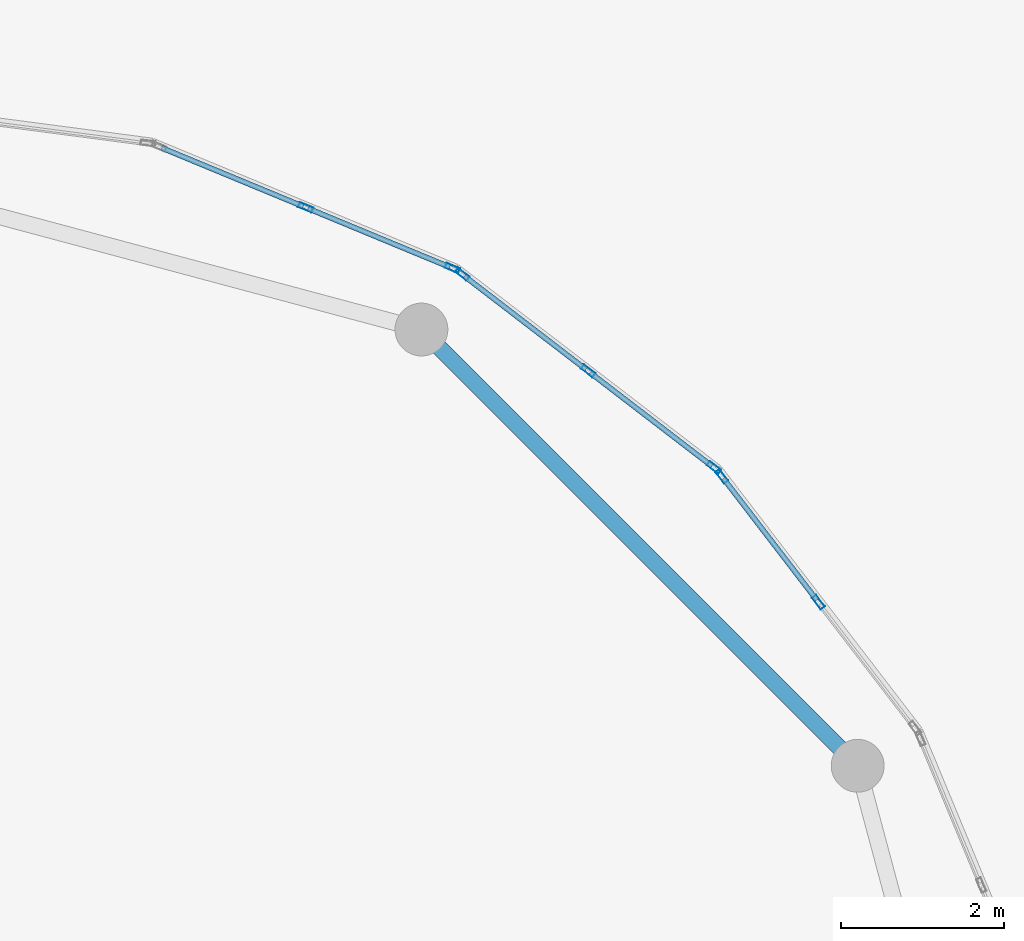
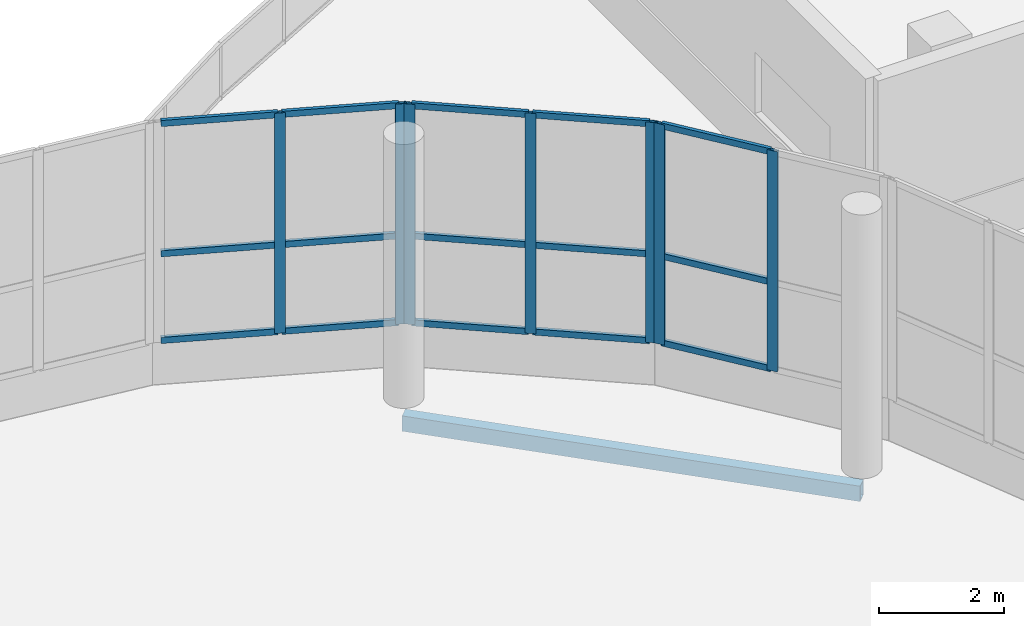
# One storey, part 12 of 101: 22 members, 1 beam, 3 elements without a shape of their own.
"""IFC4 building model written with IfcOpenShell, lengths in metres."""

from ifc_helpers import new_model, si_unit, direction, frame, origin, origin_2d, place, context, subcontext, project, spatial, hollow_rectangle, extrude, material, material_profile, profile_set, type_object, element, aggregate, save


model = new_model("IFC4")

# Units and contexts
model_context = context("Model", 3, precision=1e-05, world=origin(), true_north=direction((0.0, 1.0)))
body_context = subcontext(model_context, "Body", "Model", "MODEL_VIEW")
ifc_project = project(units=[si_unit("LENGTHUNIT", "METRE"), si_unit("AREAUNIT", "SQUARE_METRE"), si_unit("VOLUMEUNIT", "CUBIC_METRE"), si_unit("PLANEANGLEUNIT", "RADIAN"), si_unit("MASSUNIT", "GRAM", prefix="KILO")], contexts=[model_context])

# Site, building, storey
site_placement = place(None, origin())
site = spatial("IfcSite", under=ifc_project, at=site_placement, CompositionType="ELEMENT")
building_placement = place(site_placement, origin())
building = spatial("IfcBuilding", under=site, at=building_placement, Name="Selatvlak General Hospital", CompositionType="ELEMENT")
storey_placement = place(building_placement, frame((0.0, 0.0, 19.199951171875)))
storey = spatial("IfcBuildingStorey", under=building, at=storey_placement, Name="L04", CompositionType="ELEMENT", Elevation=19.199951171875)

# Beam
ifc_material_1 = material(Name="Steel S355", Category="steel")
ifc_material_profile_1 = material_profile(ifc_material_1, hollow_rectangle(XDim=0.199951171875, YDim=0.300048828125, WallThickness=0.011962890625, at=origin_2d()), Name="RHS 300x200x12")
ifc_profile_set_1 = profile_set([ifc_material_profile_1], Name="Steel S355")
beam_type = type_object("IfcBeamType", Name="BM-SP3", PredefinedType="SPANDREL", material=ifc_profile_set_1)
beam_placement = place(storey_placement, frame((110.68701171875, 61.324951171875, -0.454833984375), z_axis=(-0.707106781187, 0.707106781187, 0.0), x_axis=(-0.707106781187, -0.707106781187, 0.0)))
element("IfcBeam", 1, at=beam_placement, inside=storey, type_object=beam_type, Name="Beam BMR-L04-1799", PredefinedType="SPANDREL", context=body_context, shape_type="SweptSolid", body=[
    extrude(hollow_rectangle(XDim=0.199951171875, YDim=0.300048828125, WallThickness=0.011962890625, at=origin_2d()), origin(), (0.0, 0.0, 1.0), 7.5830078125),
])

# Curtain wall, members
ifc_material_2 = material(Name="Solar-control Low-E double glazing", Category="glass")
curtain_wall_type_1 = type_object("IfcCurtainWallType", Name="CW-CW-05", PredefinedType="USERDEFINED", material=ifc_material_2)
curtain_wall_1_placement = place(storey_placement, origin())
curtain_wall_1 = element("IfcCurtainWall", 2, at=curtain_wall_1_placement, inside=storey, type_object=curtain_wall_type_1, Name="Glazed facade curtain wall CW-L04-0538", ObjectType="STICK GLAZING WALL", PredefinedType="USERDEFINED")
ifc_material_3 = material(Name="Dark anodised aluminium mullion", Category="aluminium")
ifc_material_profile_2 = material_profile(ifc_material_3, hollow_rectangle(XDim=0.06494140625, YDim=0.179931640625, WallThickness=0.00439453125, at=origin_2d()), Name="AL-MUL 65x180x4.5")
ifc_profile_set_2 = profile_set([ifc_material_profile_2], Name="Dark anodised aluminium mullion")
member_type_1 = type_object("IfcMemberType", Name="CWM-02", PredefinedType="MULLION", material=ifc_profile_set_2)
member_1_placement = place(storey_placement, frame((103.903076171875, 68.1884765625, 0.85009765625), z_axis=(0.0, 0.0, 1.0), x_axis=(0.382537390187, 0.92394001164, 0.0)))
member_1 = element("IfcMember", 3, at=member_1_placement, type_object=member_type_1, Name="CW-05 mullion 2", PredefinedType="MULLION", context=body_context, shape_type="SweptSolid", body=[
    extrude(hollow_rectangle(XDim=0.06494140625, YDim=0.179931640625, WallThickness=0.00439453125, at=origin_2d()), origin(), (0.0, 0.0, 1.0), 4.300048828125),
])
member_2_placement = place(storey_placement, frame((105.705078125, 67.4423828125, 0.85009765625), z_axis=(0.0, 0.0, 1.0), x_axis=(0.382537390187, 0.92394001164, 0.0)))
member_2 = element("IfcMember", 4, at=member_2_placement, type_object=member_type_1, Name="CW-05 mullion 3", PredefinedType="MULLION", context=body_context, shape_type="SweptSolid", body=[
    extrude(hollow_rectangle(XDim=0.06494140625, YDim=0.179931640625, WallThickness=0.00439453125, at=origin_2d()), origin(), (0.0, 0.0, 1.0), 4.300048828125),
])

curtain_wall_type_2 = type_object("IfcCurtainWallType", Name="CW-CW-04", PredefinedType="USERDEFINED", material=ifc_material_2)
curtain_wall_2_placement = place(storey_placement, origin())
curtain_wall_2 = element("IfcCurtainWall", 5, at=curtain_wall_2_placement, inside=storey, type_object=curtain_wall_type_2, Name="Glazed facade curtain wall CW-L04-0539", ObjectType="STICK GLAZING WALL", PredefinedType="USERDEFINED")
member_3_placement = place(storey_placement, frame((105.82666015625, 67.365234375, 0.85009765625), z_axis=(0.0, 0.0, 1.0), x_axis=(0.608918417743, 0.793232853917, 0.0)))
member_3 = element("IfcMember", 6, at=member_3_placement, type_object=member_type_1, Name="CW-04 mullion 1", PredefinedType="MULLION", context=body_context, shape_type="SweptSolid", body=[
    extrude(hollow_rectangle(XDim=0.06494140625, YDim=0.179931640625, WallThickness=0.00439453125, at=origin_2d()), origin(), (0.0, 0.0, 1.0), 4.300048828125),
])
member_4_placement = place(storey_placement, frame((107.3740234375, 66.177490234375, 0.85009765625), z_axis=(0.0, 0.0, 1.0), x_axis=(0.608918417743, 0.793232853917, 0.0)))
member_4 = element("IfcMember", 7, at=member_4_placement, type_object=member_type_1, Name="CW-04 mullion 2", PredefinedType="MULLION", context=body_context, shape_type="SweptSolid", body=[
    extrude(hollow_rectangle(XDim=0.06494140625, YDim=0.179931640625, WallThickness=0.00439453125, at=origin_2d()), origin(), (0.0, 0.0, 1.0), 4.300048828125),
])
member_5_placement = place(storey_placement, frame((108.921142578125, 64.98974609375, 0.85009765625), z_axis=(0.0, 0.0, 1.0), x_axis=(0.608918417743, 0.793232853917, 0.0)))
member_5 = element("IfcMember", 8, at=member_5_placement, type_object=member_type_1, Name="CW-04 mullion 3", PredefinedType="MULLION", context=body_context, shape_type="SweptSolid", body=[
    extrude(hollow_rectangle(XDim=0.06494140625, YDim=0.179931640625, WallThickness=0.00439453125, at=origin_2d()), origin(), (0.0, 0.0, 1.0), 4.300048828125),
])

curtain_wall_3_placement = place(storey_placement, origin())
curtain_wall_3 = element("IfcCurtainWall", 9, at=curtain_wall_3_placement, inside=storey, type_object=curtain_wall_type_1, Name="Glazed facade curtain wall CW-L04-0540", ObjectType="STICK GLAZING WALL", PredefinedType="USERDEFINED")
member_6_placement = place(storey_placement, frame((109.017822265625, 64.88330078125, 0.85009765625), z_axis=(0.0, 0.0, 1.0), x_axis=(0.793232853917, 0.608918417743, 0.0)))
member_6 = element("IfcMember", 10, at=member_6_placement, type_object=member_type_1, Name="CW-05 mullion 1", PredefinedType="MULLION", context=body_context, shape_type="SweptSolid", body=[
    extrude(hollow_rectangle(XDim=0.06494140625, YDim=0.179931640625, WallThickness=0.00439453125, at=origin_2d()), origin(), (0.0, 0.0, 1.0), 4.300048828125),
])
member_7_placement = place(storey_placement, frame((110.20556640625, 63.3359375, 0.85009765625), z_axis=(0.0, 0.0, 1.0), x_axis=(0.793232853917, 0.608918417743, 0.0)))
member_7 = element("IfcMember", 11, at=member_7_placement, type_object=member_type_1, Name="CW-05 mullion 2", PredefinedType="MULLION", context=body_context, shape_type="SweptSolid", body=[
    extrude(hollow_rectangle(XDim=0.06494140625, YDim=0.179931640625, WallThickness=0.00439453125, at=origin_2d()), origin(), (0.0, 0.0, 1.0), 4.300048828125),
])

# Member
ifc_material_profile_3 = material_profile(ifc_material_3, hollow_rectangle(XDim=0.06494140625, YDim=0.1201171875, WallThickness=0.00390625, at=origin_2d()), Name="AL-TRN 65x120x4")
ifc_profile_set_3 = profile_set([ifc_material_profile_3], Name="Dark anodised aluminium mullion")
member_type_2 = type_object("IfcMemberType", Name="CWT-01", PredefinedType="USERDEFINED", material=ifc_profile_set_3)
member_8_placement = place(storey_placement, frame((102.131103515625, 68.922119140625, 0.882568359375), z_axis=(0.923944246195, -0.382527162335, 0.0), x_axis=(0.382527162335, 0.923944246195, 0.0)))
member_8 = element("IfcMember", 12, at=member_8_placement, type_object=member_type_2, Name="CW-05 transom 1.1", ObjectType="TRANSOM", PredefinedType="USERDEFINED", context=body_context, shape_type="SweptSolid", body=[
    extrude(hollow_rectangle(XDim=0.06494140625, YDim=0.1201171875, WallThickness=0.00390625, at=origin_2d()), origin(), (0.0, 0.0, 1.0), 1.88525390625),
])

member_9_placement = place(storey_placement, frame((102.131103515625, 68.922119140625, 2.574951171875), z_axis=(0.923944246195, -0.382527162335, 0.0), x_axis=(0.382527162335, 0.923944246195, 0.0)))
member_9 = element("IfcMember", 13, at=member_9_placement, type_object=member_type_2, Name="CW-05 transom 1.2", ObjectType="TRANSOM", PredefinedType="USERDEFINED", context=body_context, shape_type="SweptSolid", body=[
    extrude(hollow_rectangle(XDim=0.06494140625, YDim=0.1201171875, WallThickness=0.00390625, at=origin_2d()), origin(), (0.0, 0.0, 1.0), 1.88525390625),
])

member_10_placement = place(storey_placement, frame((102.131103515625, 68.922119140625, 5.117431640625), z_axis=(0.923944246195, -0.382527162335, 0.0), x_axis=(0.382527162335, 0.923944246195, 0.0)))
member_10 = element("IfcMember", 14, at=member_10_placement, type_object=member_type_2, Name="CW-05 transom 1.3", ObjectType="TRANSOM", PredefinedType="USERDEFINED", context=body_context, shape_type="SweptSolid", body=[
    extrude(hollow_rectangle(XDim=0.06494140625, YDim=0.1201171875, WallThickness=0.00390625, at=origin_2d()), origin(), (0.0, 0.0, 1.0), 1.88525390625),
])

member_11_placement = place(storey_placement, frame((103.93310546875, 68.176025390625, 0.882568359375), z_axis=(0.923944246195, -0.382527162335, 0.0), x_axis=(0.382527162335, 0.923944246195, 0.0)))
member_11 = element("IfcMember", 15, at=member_11_placement, type_object=member_type_2, Name="CW-05 transom 2.1", ObjectType="TRANSOM", PredefinedType="USERDEFINED", context=body_context, shape_type="SweptSolid", body=[
    extrude(hollow_rectangle(XDim=0.06494140625, YDim=0.1201171875, WallThickness=0.00390625, at=origin_2d()), origin(), (0.0, 0.0, 1.0), 1.88525390625),
])

member_12_placement = place(storey_placement, frame((103.93310546875, 68.176025390625, 2.574951171875), z_axis=(0.923944246195, -0.382527162335, 0.0), x_axis=(0.382527162335, 0.923944246195, 0.0)))
member_12 = element("IfcMember", 16, at=member_12_placement, type_object=member_type_2, Name="CW-05 transom 2.2", ObjectType="TRANSOM", PredefinedType="USERDEFINED", context=body_context, shape_type="SweptSolid", body=[
    extrude(hollow_rectangle(XDim=0.06494140625, YDim=0.1201171875, WallThickness=0.00390625, at=origin_2d()), origin(), (0.0, 0.0, 1.0), 1.88525390625),
])

member_13_placement = place(storey_placement, frame((103.93310546875, 68.176025390625, 5.117431640625), z_axis=(0.923944246195, -0.382527162335, 0.0), x_axis=(0.382527162335, 0.923944246195, 0.0)))
member_13 = element("IfcMember", 17, at=member_13_placement, type_object=member_type_2, Name="CW-05 transom 2.3", ObjectType="TRANSOM", PredefinedType="USERDEFINED", context=body_context, shape_type="SweptSolid", body=[
    extrude(hollow_rectangle(XDim=0.06494140625, YDim=0.1201171875, WallThickness=0.00390625, at=origin_2d()), origin(), (0.0, 0.0, 1.0), 1.88525390625),
])

aggregate(curtain_wall_1, [member_1, member_2, member_8, member_9, member_10, member_11, member_12, member_13])

member_14_placement = place(storey_placement, frame((105.8525390625, 67.345458984375, 0.882568359375), z_axis=(0.793206055297, -0.608953326487, 0.0), x_axis=(0.608953326487, 0.793206055297, 0.0)))
member_14 = element("IfcMember", 18, at=member_14_placement, type_object=member_type_2, Name="CW-04 transom 1.1", ObjectType="TRANSOM", PredefinedType="USERDEFINED", context=body_context, shape_type="SweptSolid", body=[
    extrude(hollow_rectangle(XDim=0.06494140625, YDim=0.1201171875, WallThickness=0.00390625, at=origin_2d()), origin(), (0.0, 0.0, 1.0), 1.885498046875),
])

member_15_placement = place(storey_placement, frame((105.8525390625, 67.345458984375, 2.574951171875), z_axis=(0.793206055297, -0.608953326487, 0.0), x_axis=(0.608953326487, 0.793206055297, 0.0)))
member_15 = element("IfcMember", 19, at=member_15_placement, type_object=member_type_2, Name="CW-04 transom 1.2", ObjectType="TRANSOM", PredefinedType="USERDEFINED", context=body_context, shape_type="SweptSolid", body=[
    extrude(hollow_rectangle(XDim=0.06494140625, YDim=0.1201171875, WallThickness=0.00390625, at=origin_2d()), origin(), (0.0, 0.0, 1.0), 1.885498046875),
])

member_16_placement = place(storey_placement, frame((105.8525390625, 67.345458984375, 5.117431640625), z_axis=(0.793206055297, -0.608953326487, 0.0), x_axis=(0.608953326487, 0.793206055297, 0.0)))
member_16 = element("IfcMember", 20, at=member_16_placement, type_object=member_type_2, Name="CW-04 transom 1.3", ObjectType="TRANSOM", PredefinedType="USERDEFINED", context=body_context, shape_type="SweptSolid", body=[
    extrude(hollow_rectangle(XDim=0.06494140625, YDim=0.1201171875, WallThickness=0.00390625, at=origin_2d()), origin(), (0.0, 0.0, 1.0), 1.885498046875),
])

member_17_placement = place(storey_placement, frame((107.399658203125, 66.15771484375, 0.882568359375), z_axis=(0.793254062913, -0.608890787968, 0.0), x_axis=(0.608890787968, 0.793254062913, 0.0)))
member_17 = element("IfcMember", 21, at=member_17_placement, type_object=member_type_2, Name="CW-04 transom 2.1", ObjectType="TRANSOM", PredefinedType="USERDEFINED", context=body_context, shape_type="SweptSolid", body=[
    extrude(hollow_rectangle(XDim=0.06494140625, YDim=0.1201171875, WallThickness=0.00390625, at=origin_2d()), origin(), (0.0, 0.0, 1.0), 1.8857421875),
])

member_18_placement = place(storey_placement, frame((107.399658203125, 66.15771484375, 2.574951171875), z_axis=(0.793254062913, -0.608890787968, 0.0), x_axis=(0.608890787968, 0.793254062913, 0.0)))
member_18 = element("IfcMember", 22, at=member_18_placement, type_object=member_type_2, Name="CW-04 transom 2.2", ObjectType="TRANSOM", PredefinedType="USERDEFINED", context=body_context, shape_type="SweptSolid", body=[
    extrude(hollow_rectangle(XDim=0.06494140625, YDim=0.1201171875, WallThickness=0.00390625, at=origin_2d()), origin(), (0.0, 0.0, 1.0), 1.8857421875),
])

member_19_placement = place(storey_placement, frame((107.399658203125, 66.15771484375, 5.117431640625), z_axis=(0.793254062913, -0.608890787968, 0.0), x_axis=(0.608890787968, 0.793254062913, 0.0)))
member_19 = element("IfcMember", 23, at=member_19_placement, type_object=member_type_2, Name="CW-04 transom 2.3", ObjectType="TRANSOM", PredefinedType="USERDEFINED", context=body_context, shape_type="SweptSolid", body=[
    extrude(hollow_rectangle(XDim=0.06494140625, YDim=0.1201171875, WallThickness=0.00390625, at=origin_2d()), origin(), (0.0, 0.0, 1.0), 1.8857421875),
])

aggregate(curtain_wall_2, [member_3, member_4, member_5, member_14, member_15, member_16, member_17, member_18, member_19])

member_20_placement = place(storey_placement, frame((109.03759765625, 64.857421875, 0.882568359375), z_axis=(0.608953326487, -0.793206055297, 0.0), x_axis=(0.793206055297, 0.608953326487, 0.0)))
member_20 = element("IfcMember", 24, at=member_20_placement, type_object=member_type_2, Name="CW-05 transom 1.1", ObjectType="TRANSOM", PredefinedType="USERDEFINED", context=body_context, shape_type="SweptSolid", body=[
    extrude(hollow_rectangle(XDim=0.06494140625, YDim=0.1201171875, WallThickness=0.00390625, at=origin_2d()), origin(), (0.0, 0.0, 1.0), 1.885498046875),
])

member_21_placement = place(storey_placement, frame((109.03759765625, 64.857421875, 2.574951171875), z_axis=(0.608953326487, -0.793206055297, 0.0), x_axis=(0.793206055297, 0.608953326487, 0.0)))
member_21 = element("IfcMember", 25, at=member_21_placement, type_object=member_type_2, Name="CW-05 transom 1.2", ObjectType="TRANSOM", PredefinedType="USERDEFINED", context=body_context, shape_type="SweptSolid", body=[
    extrude(hollow_rectangle(XDim=0.06494140625, YDim=0.1201171875, WallThickness=0.00390625, at=origin_2d()), origin(), (0.0, 0.0, 1.0), 1.885498046875),
])

member_22_placement = place(storey_placement, frame((109.03759765625, 64.857421875, 5.117431640625), z_axis=(0.608953326487, -0.793206055297, 0.0), x_axis=(0.793206055297, 0.608953326487, 0.0)))
member_22 = element("IfcMember", 26, at=member_22_placement, type_object=member_type_2, Name="CW-05 transom 1.3", ObjectType="TRANSOM", PredefinedType="USERDEFINED", context=body_context, shape_type="SweptSolid", body=[
    extrude(hollow_rectangle(XDim=0.06494140625, YDim=0.1201171875, WallThickness=0.00390625, at=origin_2d()), origin(), (0.0, 0.0, 1.0), 1.885498046875),
])

aggregate(curtain_wall_3, [member_6, member_7, member_20, member_21, member_22])

save(model, "model.ifc")
